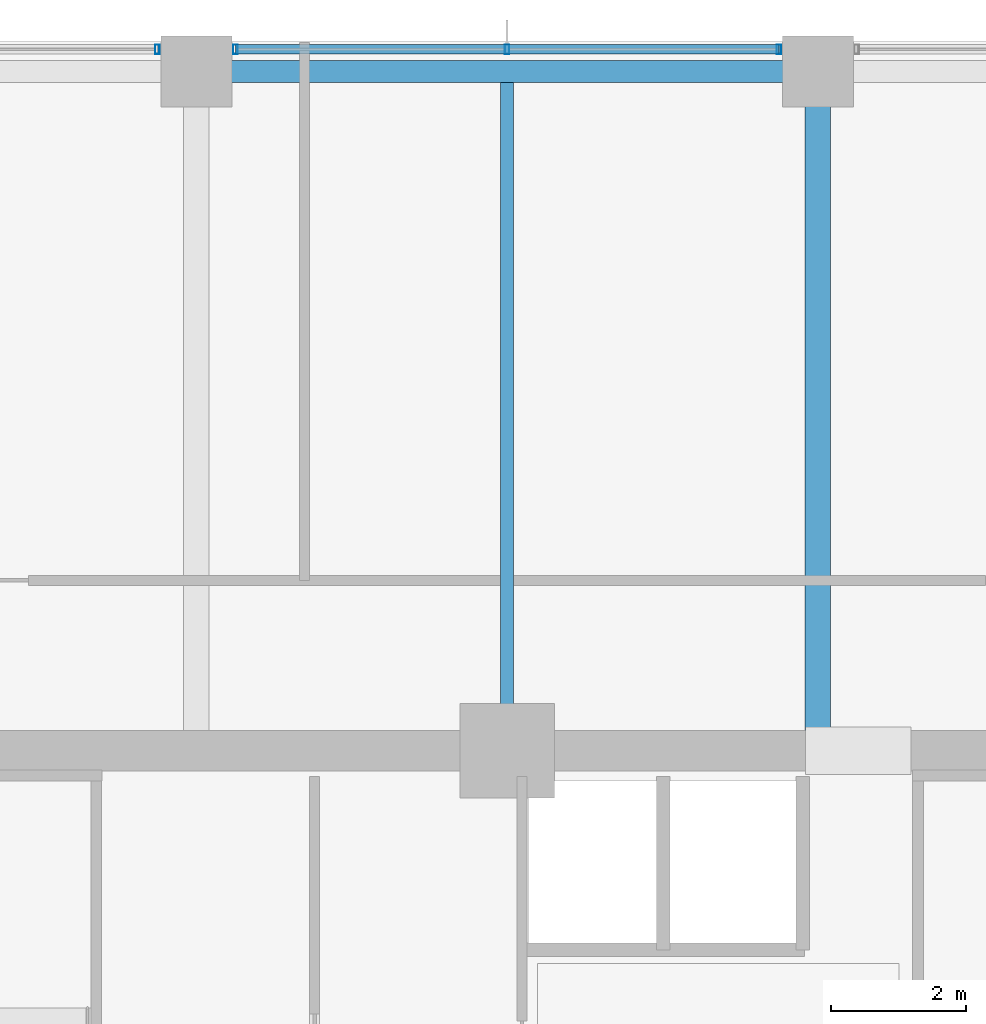
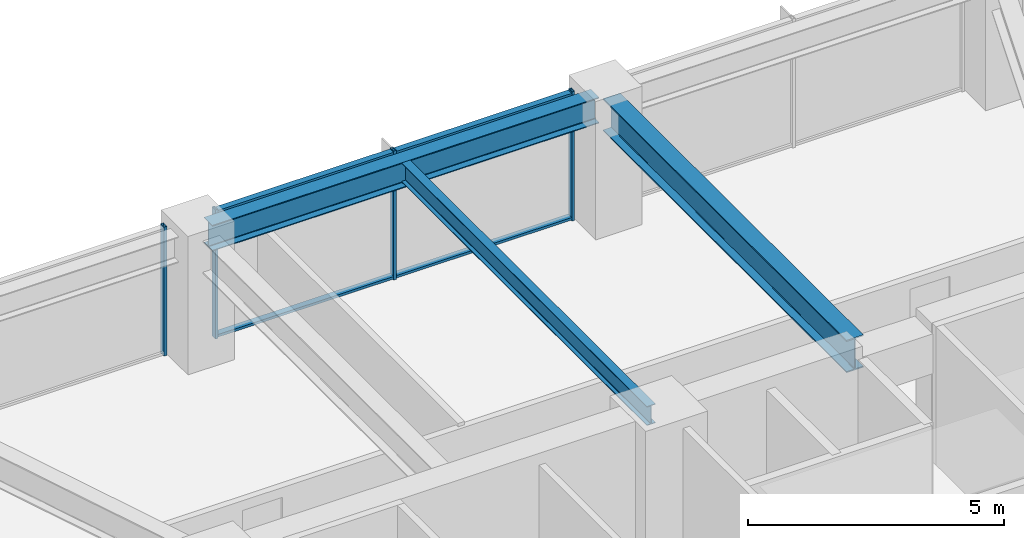
# One storey, part 21 of 36: 6 members, 3 beams, 2 elements without a shape of their own.
"""IFC4 building model written with IfcOpenShell, lengths in metres."""

from ifc_helpers import new_model, si_unit, direction, frame, origin, origin_2d, place, context, subcontext, project, spatial, hollow_rectangle, i_section, extrude, material, material_profile, profile_set, type_object, element, aggregate, save


model = new_model("IFC4")

# Units and contexts
model_context = context("Model", 3, precision=1e-05, world=origin(), true_north=direction((0.0, 1.0)))
body_context = subcontext(model_context, "Body", "Model", "MODEL_VIEW")
ifc_project = project(units=[si_unit("LENGTHUNIT", "METRE"), si_unit("AREAUNIT", "SQUARE_METRE"), si_unit("VOLUMEUNIT", "CUBIC_METRE"), si_unit("PLANEANGLEUNIT", "RADIAN"), si_unit("MASSUNIT", "GRAM", prefix="KILO")], contexts=[model_context])

# Site, building, storey
site_placement = place(None, origin())
site = spatial("IfcSite", under=ifc_project, at=site_placement, CompositionType="ELEMENT")
building_placement = place(site_placement, origin())
building = spatial("IfcBuilding", under=site, at=building_placement, Name="Kolvaren Belvedere", CompositionType="ELEMENT")
storey_placement = place(building_placement, frame((0.0, 0.0, 95.300048828125)))
storey = spatial("IfcBuildingStorey", under=building, at=storey_placement, Name="L27", CompositionType="ELEMENT", Elevation=95.300048828125)

# Beams
ifc_material_1 = material(Name="Structural steel ASTM A992 Grade 50", Category="steel")
ifc_material_profile_1 = material_profile(ifc_material_1, i_section(OverallWidth=0.381103515625, OverallDepth=0.77294921875, WebThickness=0.0166015625, FlangeThickness=0.027099609375, FilletRadius=0.02392578125, at=origin_2d()), Name="W30X173")
ifc_profile_set_1 = profile_set([ifc_material_profile_1], Name="Structural steel ASTM A992 Grade 50")
beam_type_1 = type_object("IfcBeamType", Name="BM-GIRD-W30X173", PredefinedType="BEAM", material=ifc_profile_set_1)
beam_1_placement = place(storey_placement, frame((4.60009765625, 10.199951171875, 2.693359375), z_axis=(0.0, 1.0, 0.0), x_axis=(-1.0, 0.0, 0.0)))
element("IfcBeam", 1, at=beam_1_placement, inside=storey, type_object=beam_type_1, Name="L27 North Radial Girder P", PredefinedType="BEAM", context=body_context, shape_type="SweptSolid", body=[
    extrude(i_section(OverallWidth=0.381103515625, OverallDepth=0.77294921875, WebThickness=0.0166015625, FlangeThickness=0.027099609375, FilletRadius=0.02392578125, at=origin_2d()), origin(), (0.0, 0.0, 1.0), 9.513916015625),
])
ifc_material_2 = material(Name="Structural steel ASTM A992 Grade 50", Category="steel")
ifc_material_profile_2 = material_profile(ifc_material_2, i_section(OverallWidth=0.19091796875, OverallDepth=0.4599609375, WebThickness=0.010009765625, FlangeThickness=0.01611328125, FilletRadius=0.014892578125, at=origin_2d()), Name="W18X55")
ifc_profile_set_2 = profile_set([ifc_material_profile_2], Name="Structural steel ASTM A992 Grade 50")
beam_type_2 = type_object("IfcBeamType", Name="BM-JOIST-W18X55", PredefinedType="BEAM", material=ifc_profile_set_2)
beam_2_placement = place(storey_placement, frame((0.0, 10.199951171875, 2.849853515625), z_axis=(0.0, 1.0, 0.0), x_axis=(-1.0, 0.0, 0.0)))
element("IfcBeam", 2, at=beam_2_placement, inside=storey, type_object=beam_type_2, Name="L27 North Centre Floor Beam", PredefinedType="BEAM", context=body_context, shape_type="SweptSolid", body=[
    extrude(i_section(OverallWidth=0.19091796875, OverallDepth=0.4599609375, WebThickness=0.010009765625, FlangeThickness=0.01611328125, FilletRadius=0.014892578125, at=origin_2d()), origin(), (0.0, 0.0, 1.0), 9.587646484375),
])
ifc_material_3 = material(Name="Structural steel ASTM A992 Grade 50", Category="steel")
ifc_material_profile_3 = material_profile(ifc_material_3, i_section(OverallWidth=0.324951171875, OverallDepth=0.615966796875, WebThickness=0.013916015625, FlangeThickness=0.021484375, FilletRadius=0.02001953125, at=origin_2d()), Name="W24X117")
ifc_profile_set_3 = profile_set([ifc_material_profile_3], Name="Structural steel ASTM A992 Grade 50")
beam_type_3 = type_object("IfcBeamType", Name="BM-SPAN-W24X117", PredefinedType="SPANDREL", material=ifc_profile_set_3)
beam_3_placement = place(storey_placement, frame((4.36376953125, 19.949951171875, 2.77197265625), z_axis=(-1.0, 0.0, 0.0), x_axis=(0.0, -1.0, 0.0)))
element("IfcBeam", 3, at=beam_3_placement, inside=storey, type_object=beam_type_3, Name="L27 Perimeter Spandrel N3-N2", PredefinedType="SPANDREL", context=body_context, shape_type="SweptSolid", body=[
    extrude(i_section(OverallWidth=0.324951171875, OverallDepth=0.615966796875, WebThickness=0.013916015625, FlangeThickness=0.021484375, FilletRadius=0.02001953125, at=origin_2d()), origin(), (0.0, 0.0, 1.0), 8.7275390625),
])

# Curtain wall, member
ifc_material_4 = material(Name="Anodised pale-metal aluminium AA 6063-T6", Category="aluminium")
curtain_wall_type = type_object("IfcCurtainWallType", Name="CW-Z2-MID", PredefinedType="NOTDEFINED", material=ifc_material_4)
curtain_wall_1_placement = place(storey_placement, origin())
curtain_wall_1 = element("IfcCurtainWall", 4, at=curtain_wall_1_placement, inside=storey, type_object=curtain_wall_type, Name="L27 Unitised Curtain Wall FCW-L27-N-B1", PredefinedType="NOTDEFINED")
ifc_material_5 = material(Name="Anodised pale-metal aluminium AA 6063-T6", Category="aluminium")
ifc_material_profile_4 = material_profile(ifc_material_5, hollow_rectangle(XDim=0.06494140625, YDim=0.139892578125, WallThickness=0.00390625, at=origin_2d()), Name="ALU-MUL-140X65")
ifc_profile_set_4 = profile_set([ifc_material_profile_4], Name="Anodised pale-metal aluminium AA 6063-T6")
member_type_1 = type_object("IfcMemberType", Name="CW-MUL-140", PredefinedType="MULLION", material=ifc_profile_set_4)
member_1_placement = place(storey_placement, frame((-5.177490234375, 20.280029296875, 0.0), z_axis=(0.0, 0.0, 1.0), x_axis=(1.0, 0.0, 0.0)))
member_1 = element("IfcMember", 5, at=member_1_placement, type_object=member_type_1, Name="FCW-L27-N-B1 Unitised Mullion 3", PredefinedType="MULLION", context=body_context, shape_type="SweptSolid", body=[
    extrude(hollow_rectangle(XDim=0.06494140625, YDim=0.139892578125, WallThickness=0.00390625, at=origin_2d()), origin(), (0.0, 0.0, 1.0), 3.079833984375),
])
aggregate(curtain_wall_1, [member_1])

# Curtain wall, members
curtain_wall_2_placement = place(storey_placement, origin())
curtain_wall_2 = element("IfcCurtainWall", 6, at=curtain_wall_2_placement, inside=storey, type_object=curtain_wall_type, Name="L27 Unitised Curtain Wall FCW-L27-N-B2", PredefinedType="NOTDEFINED")
member_2_placement = place(storey_placement, frame((-4.0224609375, 20.280029296875, 0.0), z_axis=(0.0, 0.0, 1.0), x_axis=(1.0, 0.0, 0.0)))
member_2 = element("IfcMember", 7, at=member_2_placement, type_object=member_type_1, Name="FCW-L27-N-B2 Unitised Mullion 1", PredefinedType="MULLION", context=body_context, shape_type="SweptSolid", body=[
    extrude(hollow_rectangle(XDim=0.06494140625, YDim=0.139892578125, WallThickness=0.00390625, at=origin_2d()), origin(), (0.0, 0.0, 1.0), 3.079833984375),
])
member_3_placement = place(storey_placement, frame((0.0, 20.280029296875, 0.0), z_axis=(0.0, 0.0, 1.0), x_axis=(1.0, 0.0, 0.0)))
member_3 = element("IfcMember", 8, at=member_3_placement, type_object=member_type_1, Name="FCW-L27-N-B2 Unitised Mullion 2", PredefinedType="MULLION", context=body_context, shape_type="SweptSolid", body=[
    extrude(hollow_rectangle(XDim=0.06494140625, YDim=0.139892578125, WallThickness=0.00390625, at=origin_2d()), origin(), (0.0, 0.0, 1.0), 3.079833984375),
])
member_4_placement = place(storey_placement, frame((4.0224609375, 20.280029296875, 0.0), z_axis=(0.0, 0.0, 1.0), x_axis=(1.0, 0.0, 0.0)))
member_4 = element("IfcMember", 9, at=member_4_placement, type_object=member_type_1, Name="FCW-L27-N-B2 Unitised Mullion 3", PredefinedType="MULLION", context=body_context, shape_type="SweptSolid", body=[
    extrude(hollow_rectangle(XDim=0.06494140625, YDim=0.139892578125, WallThickness=0.00390625, at=origin_2d()), origin(), (0.0, 0.0, 1.0), 3.079833984375),
])
ifc_material_6 = material(Name="Anodised pale-metal aluminium AA 6063-T6", Category="aluminium")
ifc_material_profile_5 = material_profile(ifc_material_6, hollow_rectangle(XDim=0.06005859375, YDim=0.139892578125, WallThickness=0.00390625, at=origin_2d()), Name="ALU-TRN-140X60")
ifc_profile_set_5 = profile_set([ifc_material_profile_5], Name="Anodised pale-metal aluminium AA 6063-T6")
member_type_2 = type_object("IfcMemberType", Name="CW-TRN-140", PredefinedType="USERDEFINED", material=ifc_profile_set_5)
member_5_placement = place(storey_placement, frame((-4.0224609375, 20.280029296875, 0.06005859375), z_axis=(1.0, 0.0, 0.0), x_axis=(0.0, 0.0, 1.0)))
member_5 = element("IfcMember", 10, at=member_5_placement, type_object=member_type_2, Name="FCW-L27-N-B2 Sill Transom", ObjectType="TRANSOM", PredefinedType="USERDEFINED", context=body_context, shape_type="SweptSolid", body=[
    extrude(hollow_rectangle(XDim=0.06005859375, YDim=0.139892578125, WallThickness=0.00390625, at=origin_2d()), origin(), (0.0, 0.0, 1.0), 8.044921875),
])
member_6_placement = place(storey_placement, frame((-4.0224609375, 20.280029296875, 3.02001953125), z_axis=(1.0, 0.0, 0.0), x_axis=(0.0, 0.0, 1.0)))
member_6 = element("IfcMember", 11, at=member_6_placement, type_object=member_type_2, Name="FCW-L27-N-B2 Head Transom", ObjectType="TRANSOM", PredefinedType="USERDEFINED", context=body_context, shape_type="SweptSolid", body=[
    extrude(hollow_rectangle(XDim=0.06005859375, YDim=0.139892578125, WallThickness=0.00390625, at=origin_2d()), origin(), (0.0, 0.0, 1.0), 8.044921875),
])
aggregate(curtain_wall_2, [member_2, member_3, member_4, member_5, member_6])

save(model, "model.ifc")
